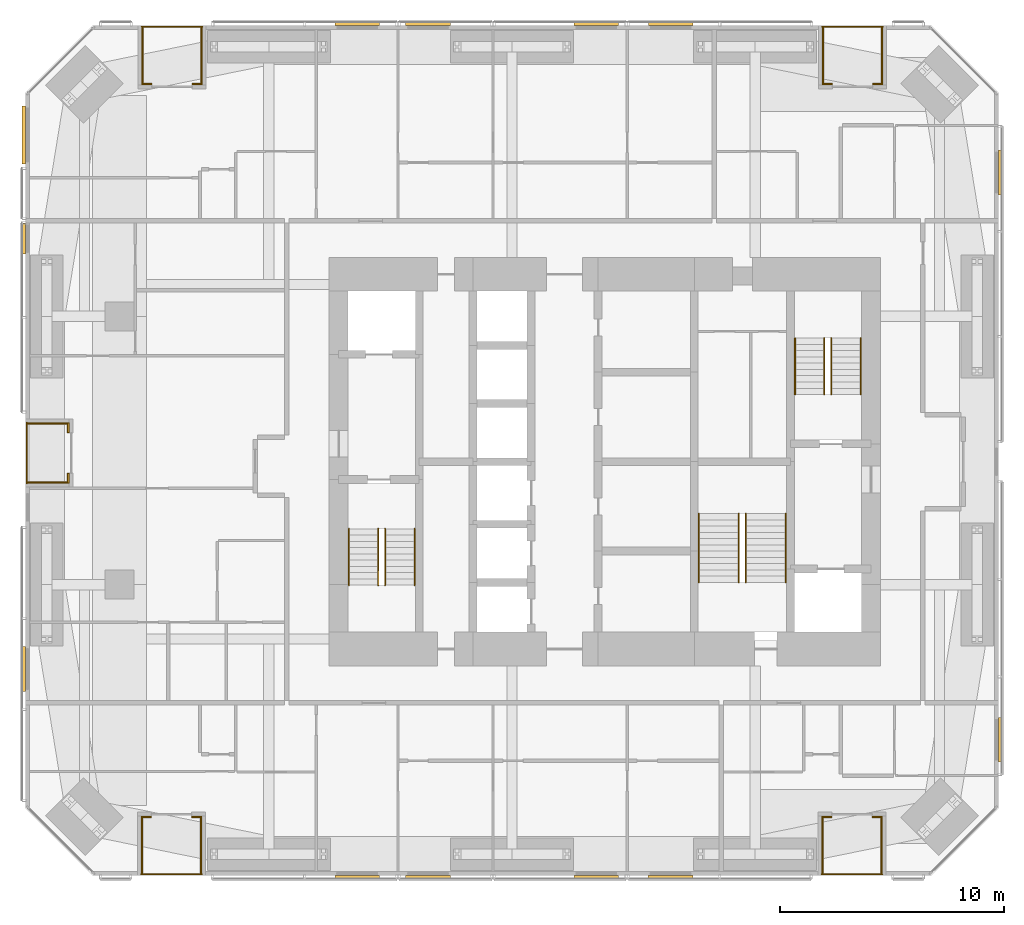
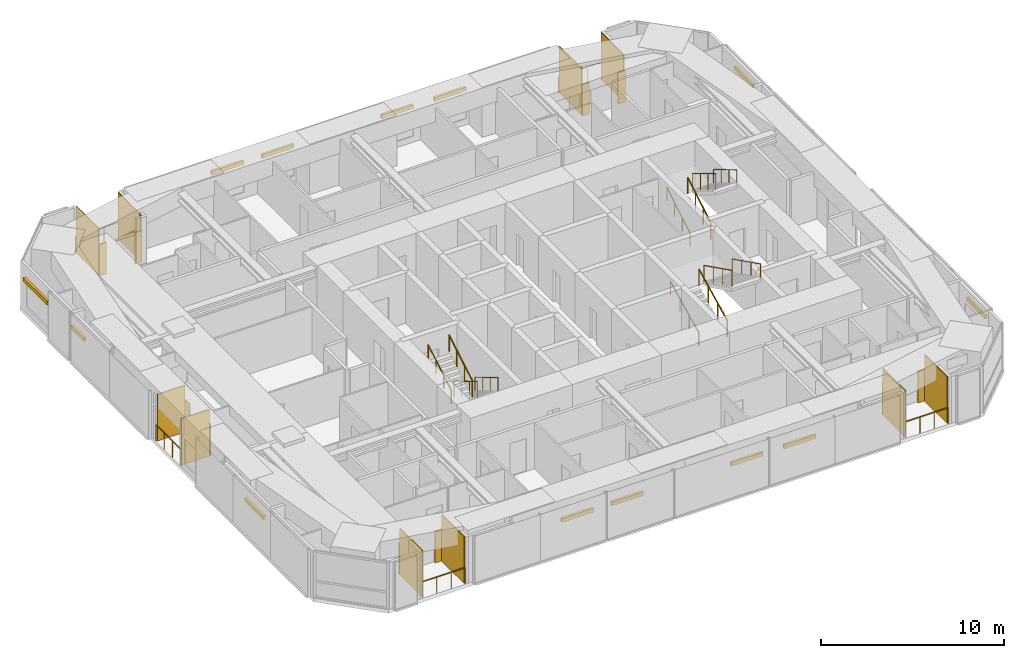
# One storey, part 23 of 23: 33 shading devices, 17 railings.
"""IFC4 building model written with IfcOpenShell, lengths in metres."""

import ifcopenshell
import ifcopenshell.guid

model = None  # the IFC model being written
_history = None  # IfcOwnerHistory: only IFC2X3 demands one
_inside = {}  # id of a spatial element -> (the spatial element, [elements in it])
_under = {}  # id of a project, library or spatial element -> (it, [spatial elements below it])
_declared = {}  # id of a project -> (the project, [libraries it declares])
_typed = {}  # id of a type object -> (the type object, [elements of that type])
_made_of = {}  # id of a material, layer set ... -> (it, [elements and type objects made of it])


def new_model(schema):
    """Start an empty IFC model of exactly this schema.

    Asked for "IFC4X3", IfcOpenShell would pick the latest addendum, in which some entities
    have other attributes; the version numbers below select the first issue.
    IFC2X3 requires an IfcOwnerHistory on every rooted entity: one is made here for all.
    """
    global model, _history
    if schema == "IFC4X3":
        model = ifcopenshell.file(schema_version=(4, 3, 0, 0))
    else:
        model = ifcopenshell.file(schema=schema)
    _inside.clear()
    _under.clear()
    _declared.clear()
    _typed.clear()
    _made_of.clear()
    _history = None
    if model.schema == "IFC2X3":
        org = make("IfcOrganization", Name="unknown")
        user = make(
            "IfcPersonAndOrganization",
            ThePerson=make("IfcPerson", FamilyName="unknown"),
            TheOrganization=org,
        )
        app = make(
            "IfcApplication",
            ApplicationDeveloper=org,
            Version="unknown",
            ApplicationFullName="unknown",
            ApplicationIdentifier="unknown",
        )
        _history = make(
            "IfcOwnerHistory",
            OwningUser=user,
            OwningApplication=app,
            ChangeAction="ADDED",
            CreationDate=0,
        )
    return model


def make(cls, **values):
    """One entity of the class cls with the attributes given. An attribute that is None is left unset."""
    return model.create_entity(
        cls, **{name: value for name, value in values.items() if value is not None}
    )


def rooted(cls, **values):
    """An entity with a GlobalId (a new one), such as an element, a storey or a relation."""
    return make(cls, GlobalId=ifcopenshell.guid.new(), OwnerHistory=_history, **values)


def si_unit(unit_type, name, prefix=None):
    """IfcSIUnit, for example si_unit("LENGTHUNIT", "METRE", prefix="MILLI")."""
    return make("IfcSIUnit", UnitType=unit_type, Prefix=prefix, Name=name)


def assignment(units):
    """IfcUnitAssignment: the units of a project."""
    return None if units is None else make("IfcUnitAssignment", Units=units)


def point(xyz):
    """IfcCartesianPoint."""
    return None if xyz is None else make("IfcCartesianPoint", Coordinates=xyz)


def direction(xyz):
    """IfcDirection."""
    return None if xyz is None else make("IfcDirection", DirectionRatios=xyz)


def frame(location, z_axis=None, x_axis=None):
    """IfcAxis2Placement3D, a coordinate frame: its origin and axes. An axis left out is left unset."""
    return make(
        "IfcAxis2Placement3D",
        Location=point(location),
        Axis=direction(z_axis),
        RefDirection=direction(x_axis),
    )


def frame_2d(location, x_axis=None):
    """IfcAxis2Placement2D, a coordinate frame in the plane: its origin and x axis."""
    return make(
        "IfcAxis2Placement2D", Location=point(location), RefDirection=direction(x_axis)
    )


def origin():
    """The frame at (0, 0, 0) with its axes left unset."""
    return frame((0.0, 0.0, 0.0))


def origin_2d():
    """The frame at (0, 0) in the plane with its x axis left unset."""
    return frame_2d((0.0, 0.0))


def place(relative_to, where):
    """IfcLocalPlacement: puts the frame where relative to a parent placement (None: the world)."""
    return make(
        "IfcLocalPlacement", PlacementRelTo=relative_to, RelativePlacement=where
    )


def context(
    kind, dimensions, precision=None, world=None, true_north=None, identifier=None
):
    """IfcGeometricRepresentationContext, for example the 3D "Model" context."""
    return make(
        "IfcGeometricRepresentationContext",
        ContextIdentifier=identifier,
        ContextType=kind,
        CoordinateSpaceDimension=dimensions,
        Precision=precision,
        WorldCoordinateSystem=world,
        TrueNorth=true_north,
    )


def subcontext(parent, identifier, kind, view, scale=None):
    """IfcGeometricRepresentationSubContext, for example "Body" below "Model"."""
    return make(
        "IfcGeometricRepresentationSubContext",
        ContextIdentifier=identifier,
        ContextType=kind,
        ParentContext=parent,
        TargetScale=scale,
        TargetView=view,
    )


def project(units=None, contexts=None):
    """IfcProject with its units and contexts."""
    return rooted(
        "IfcProject",
        Name="project",
        RepresentationContexts=contexts,
        UnitsInContext=assignment(units),
    )


def spatial(cls, under=None, at=None, **own):
    """A site, building, storey or space (cls), placed at a placement, below another one or the project."""
    s = rooted(cls, ObjectPlacement=at, **own)
    if under is not None:
        _under.setdefault(under.id(), (under, []))[1].append(s)
    return s


def profile(cls, at=None, kind="AREA", **sizes):
    """A parametric profile (cls). Its sizes go by their IFC names, for example OverallWidth=200.0."""
    return make(cls, ProfileType=kind, Position=at, **sizes)


def rectangle(**sizes):
    """IfcRectangleProfileDef."""
    return profile("IfcRectangleProfileDef", **sizes)


def circle(**sizes):
    """IfcCircleProfileDef."""
    return profile("IfcCircleProfileDef", **sizes)


def extrude(swept, where, along, depth):
    """IfcExtrudedAreaSolid: the profile swept, set in the frame where, extruded along a direction by depth."""
    return make(
        "IfcExtrudedAreaSolid",
        SweptArea=swept,
        Position=where,
        ExtrudedDirection=direction(along),
        Depth=depth,
    )


def shape(context_of_items, identifier, shape_type, items):
    """IfcShapeRepresentation: the items that make up one representation, for example the "Body"."""
    return make(
        "IfcShapeRepresentation",
        ContextOfItems=context_of_items,
        RepresentationIdentifier=identifier,
        RepresentationType=shape_type,
        Items=items,
    )


def material(Name=None, Category=None):
    """IfcMaterial."""
    return make("IfcMaterial", Name=Name, Category=Category)


def layer(
    of_material, thickness, ventilated=None, Name=None, Category=None, Priority=None
):
    """IfcMaterialLayer: one layer of a wall or slab, of a material (None: an air gap)."""
    return make(
        "IfcMaterialLayer",
        Material=of_material,
        LayerThickness=thickness,
        IsVentilated=ventilated,
        Name=Name,
        Category=Category,
        Priority=Priority,
    )


def layer_set(layers, Name=None):
    """IfcMaterialLayerSet."""
    return make("IfcMaterialLayerSet", MaterialLayers=layers, LayerSetName=Name)


def constituent(of_material, Name=None, Category=None, fraction=None):
    """IfcMaterialConstituent: one of the materials an element consists of."""
    return make(
        "IfcMaterialConstituent",
        Name=Name,
        Material=of_material,
        Fraction=fraction,
        Category=Category,
    )


def constituent_set(constituents=None, Name=None):
    """IfcMaterialConstituentSet."""
    return make(
        "IfcMaterialConstituentSet", Name=Name, MaterialConstituents=constituents
    )


def made_of(thing, what):
    """Note that an element or type object is made of a material, layer set ...; save() writes the relation."""
    if what is not None:
        _made_of.setdefault(what.id(), (what, []))[1].append(thing)
    return thing


def type_object(cls, material=None, **own):
    """A type object (cls), such as IfcWallType, which elements share."""
    return made_of(rooted(cls, **own), material)


def element(
    cls,
    number,
    at=None,
    inside=None,
    cuts=None,
    type_object=None,
    material=None,
    context=None,
    identifier="Body",
    shape_type=None,
    held_by="IfcProductDefinitionShape",
    body=None,
    shapes=None,
    **own,
):
    """One element of the class cls, such as IfcWall. Its Tag is "e" and its number.

    at: its placement. inside: the storey or other place that contains it. cuts: it is an
    opening in that element (IfcRelVoidsElement). A single representation is given by context,
    identifier, shape_type and body (its items); several are given by shapes. held_by: the class
    of the entity that holds the representations. save() writes the other relations.
    """
    e = rooted(cls, Tag="e%d" % number, ObjectPlacement=at, **own)
    if body is not None:
        shapes = [shape(context, identifier, shape_type, body)]
    if shapes is not None:
        e.Representation = make(held_by, Representations=shapes)
    if inside is not None:
        _inside.setdefault(inside.id(), (inside, []))[1].append(e)
    if cuts is not None:
        rooted(
            "IfcRelVoidsElement", RelatingBuildingElement=cuts, RelatedOpeningElement=e
        )
    if type_object is not None:
        _typed.setdefault(type_object.id(), (type_object, []))[1].append(e)
    return made_of(e, material)


def aggregate(whole, parts):
    """IfcRelAggregates: a whole, such as a stair, and the parts it consists of."""
    return rooted("IfcRelAggregates", RelatingObject=whole, RelatedObjects=parts)


def save(model, path):
    """Write the relations noted so far, then the file.

    IfcRelAggregates (storeys below a building ...), IfcRelContainedInSpatialStructure (elements
    in a storey), IfcRelDefinesByType, IfcRelAssociatesMaterial and IfcRelDeclares: one each for
    every whole, place, type object, material and project.
    """
    for whole, parts in _under.values():
        aggregate(whole, parts)
    for where, things in _inside.values():
        rooted(
            "IfcRelContainedInSpatialStructure",
            RelatedElements=things,
            RelatingStructure=where,
        )
    for kind, things in _typed.values():
        rooted("IfcRelDefinesByType", RelatedObjects=things, RelatingType=kind)
    for what, things in _made_of.values():
        rooted("IfcRelAssociatesMaterial", RelatedObjects=things, RelatingMaterial=what)
    for by, libraries in _declared.values():
        rooted("IfcRelDeclares", RelatingContext=by, RelatedDefinitions=libraries)
    model.write(path)


model = new_model("IFC4")

# Units and contexts
model_context = context("Model", 3, precision=1e-05, world=origin(), true_north=direction((0.0, 1.0)))
body_context = subcontext(model_context, "Body", "Model", "MODEL_VIEW")
ifc_project = project(units=[si_unit("LENGTHUNIT", "METRE"), si_unit("AREAUNIT", "SQUARE_METRE"), si_unit("VOLUMEUNIT", "CUBIC_METRE"), si_unit("PLANEANGLEUNIT", "RADIAN"), si_unit("MASSUNIT", "GRAM", prefix="KILO")], contexts=[model_context])

# Site, building, storey
site_placement = place(None, origin())
site = spatial("IfcSite", under=ifc_project, at=site_placement, CompositionType="ELEMENT")
building_placement = place(site_placement, origin())
building = spatial("IfcBuilding", under=site, at=building_placement, Name="Jalousie Tower", CompositionType="ELEMENT")
storey_placement = place(building_placement, frame((0.0, 0.0, 118.25)))
storey = spatial("IfcBuildingStorey", under=building, at=storey_placement, Name="L32", CompositionType="ELEMENT", Elevation=118.25)

# Shading devices
ifc_material_1 = material(Name="Aluminium impact-rated louvred storm shutter", Category="aluminium")
shading_device_type_1 = type_object("IfcShadingDeviceType", Name="BI-FOLD STORM SHUTTER 900x2100", PredefinedType="SHUTTER", material=ifc_material_1)
for number, where, z_axis, x_axis, name in (
    (1, (11.4013671875, 2.610107421875, 0.0), (0.0, 0.0, 1.0), (1.0, 0.0, 0.0), "Loggia storm shutter L32"),
    (2, (13.6513671875, 2.610107421875, 0.0), (0.0, 0.0, 1.0), (1.0, 0.0, 0.0), "Loggia storm shutter L32"),
    (3, (41.824951171875, 2.610107421875, 0.0), (0.0, 0.0, 1.0), (1.0, 0.0, 0.0), "Loggia storm shutter L32"),
    (4, (44.074951171875, 2.610107421875, 0.0), (0.0, 0.0, 1.0), (1.0, 0.0, 0.0), "Loggia storm shutter L32"),
    (5, (44.0986328125, 35.389892578125, 0.0), (0.0, 0.0, 1.0), (-1.0, 0.0, 0.0), "Loggia storm shutter L32"),
    (6, (41.8486328125, 35.389892578125, 0.0), (0.0, 0.0, 1.0), (-1.0, 0.0, 0.0), "Loggia storm shutter L32"),
    (7, (13.675048828125, 35.389892578125, 0.0), (0.0, 0.0, 1.0), (-1.0, 0.0, 0.0), "Loggia storm shutter L32"),
    (8, (11.425048828125, 35.389892578125, 0.0), (0.0, 0.0, 1.0), (-1.0, 0.0, 0.0), "Loggia storm shutter L32"),
    (9, (7.909912109375, 20.012451171875, 0.0), (0.0, 0.0, 1.0), (0.0, -1.0, 0.0), "Loggia storm shutter L32"),
    (10, (7.909912109375, 17.762451171875, 0.0), (0.0, 0.0, 1.0), (0.0, -1.0, 0.0), "Loggia storm shutter L32"),
):
    element("IfcShadingDevice", number, at=place(storey_placement, frame(where, z_axis=z_axis, x_axis=x_axis)), inside=storey, type_object=shading_device_type_1, Name=name, PredefinedType="SHUTTER", context=body_context, shape_type="SweptSolid", body=[
        extrude(rectangle(XDim=0.449951171875, YDim=0.080078125, at=origin_2d()), origin(), (0.0, 0.0, 1.0), 2.10009765625),
    ])

# Railings
ifc_material_2 = material(Name="Powder-coated aluminium fretwork", Category="aluminium")
railing_type_1 = type_object("IfcRailingType", Name="FRETWORK BALUSTRADE 1100", PredefinedType="BALUSTRADE", material=ifc_material_2)
for number, where, name in (
    (11, (11.17626953125, 0.050048828125, 0.0), "Loggia fretwork balustrade L32"),
    (12, (41.60009765625, 0.050048828125, 0.0), "Loggia fretwork balustrade L32"),
):
    element("IfcRailing", number, at=place(storey_placement, frame(where)), inside=storey, type_object=railing_type_1, Name=name, PredefinedType="BALUSTRADE", context=body_context, shape_type="SweptSolid", body=[
        extrude(rectangle(XDim=0.048095703125, YDim=0.048095703125, at=origin_2d()), frame((0.0, 0.0, 1.076171875), z_axis=(1.0, 0.0, 0.0), x_axis=(0.0, 1.0, 0.0)), (0.0, 0.0, 1.0), 2.699951171875),
        extrude(circle(Radius=0.02099609375, at=origin_2d()), origin(), (0.0, 0.0, 1.0), 1.052001953125),
        extrude(circle(Radius=0.02099609375, at=origin_2d()), frame((0.89990234375, 0.0, 0.0)), (0.0, 0.0, 1.0), 1.052001953125),
        extrude(circle(Radius=0.02099609375, at=origin_2d()), frame((1.800048828125, 0.0, 0.0)), (0.0, 0.0, 1.0), 1.052001953125),
        extrude(circle(Radius=0.02099609375, at=origin_2d()), frame((2.699951171875, 0.0, 0.0)), (0.0, 0.0, 1.0), 1.052001953125),
    ])
for number, where, name in (
    (13, (44.32373046875, 37.949951171875, 0.0), "Loggia fretwork balustrade L32"),
    (14, (13.89990234375, 37.949951171875, 0.0), "Loggia fretwork balustrade L32"),
):
    element("IfcRailing", number, at=place(storey_placement, frame(where)), inside=storey, type_object=railing_type_1, Name=name, PredefinedType="BALUSTRADE", context=body_context, shape_type="SweptSolid", body=[
        extrude(rectangle(XDim=0.048095703125, YDim=0.048095703125, at=origin_2d()), frame((0.0, 0.0, 1.076171875), z_axis=(-1.0, 0.0, 0.0), x_axis=(0.0, -1.0, 0.0)), (0.0, 0.0, 1.0), 2.699951171875),
        extrude(circle(Radius=0.02099609375, at=origin_2d()), origin(), (0.0, 0.0, 1.0), 1.052001953125),
        extrude(circle(Radius=0.02099609375, at=origin_2d()), frame((-0.89990234375, 0.0, 0.0)), (0.0, 0.0, 1.0), 1.052001953125),
        extrude(circle(Radius=0.02099609375, at=origin_2d()), frame((-1.800048828125, 0.0, 0.0)), (0.0, 0.0, 1.0), 1.052001953125),
        extrude(circle(Radius=0.02099609375, at=origin_2d()), frame((-2.699951171875, 0.0, 0.0)), (0.0, 0.0, 1.0), 1.052001953125),
    ])
railing_1_placement = place(storey_placement, frame((6.050048828125, 20.24169921875, 0.0)))
element("IfcRailing", 15, at=railing_1_placement, inside=storey, type_object=railing_type_1, Name="Loggia fretwork balustrade L32", PredefinedType="BALUSTRADE", context=body_context, shape_type="SweptSolid", body=[
    extrude(rectangle(XDim=0.048095703125, YDim=0.048095703125, at=origin_2d()), frame((0.0, 0.0, 1.076171875), z_axis=(0.0, -1.0, 0.0), x_axis=(1.0, 0.0, 0.0)), (0.0, 0.0, 1.0), 2.70849609375),
    extrude(circle(Radius=0.02099609375, at=origin_2d()), origin(), (0.0, 0.0, 1.0), 1.052001953125),
    extrude(circle(Radius=0.02099609375, at=origin_2d()), frame((0.0, -0.90283203125, 0.0)), (0.0, 0.0, 1.0), 1.052001953125),
    extrude(circle(Radius=0.02099609375, at=origin_2d()), frame((0.0, -1.8056640625, 0.0)), (0.0, 0.0, 1.0), 1.052001953125),
    extrude(circle(Radius=0.02099609375, at=origin_2d()), frame((0.0, -2.70849609375, 0.0)), (0.0, 0.0, 1.0), 1.052001953125),
])

# Shading devices
ifc_material_3 = material(Name="Powder-coated aluminium louvres", Category="aluminium")
ifc_layer = layer(ifc_material_3, 0.06005859375)
ifc_layer_set = layer_set([ifc_layer], Name="Powder-coated aluminium louvres")
shading_device_type_2 = type_object("IfcShadingDeviceType", Name="JALOUSIE LOUVRE SCREEN", PredefinedType="JALOUSIE", material=ifc_layer_set)
for number, where, z_axis, x_axis, name in (
    (16, (11.206298828125, 1.324951171875, 0.0), (0.0, 0.0, 1.0), (1.0, 0.0, 0.0), "Loggia jalousie louvre screen L32"),
    (17, (13.84619140625, 1.324951171875, 0.0), (0.0, 0.0, 1.0), (1.0, 0.0, 0.0), "Loggia jalousie louvre screen L32"),
    (18, (41.6298828125, 1.324951171875, 0.0), (0.0, 0.0, 1.0), (1.0, 0.0, 0.0), "Loggia jalousie louvre screen L32"),
    (19, (44.27001953125, 1.324951171875, 0.0), (0.0, 0.0, 1.0), (1.0, 0.0, 0.0), "Loggia jalousie louvre screen L32"),
    (20, (44.293701171875, 36.675048828125, 0.0), (0.0, 0.0, 1.0), (-1.0, 0.0, 0.0), "Loggia jalousie louvre screen L32"),
    (21, (41.65380859375, 36.675048828125, 0.0), (0.0, 0.0, 1.0), (-1.0, 0.0, 0.0), "Loggia jalousie louvre screen L32"),
    (22, (13.8701171875, 36.675048828125, 0.0), (0.0, 0.0, 1.0), (-1.0, 0.0, 0.0), "Loggia jalousie louvre screen L32"),
    (23, (11.22998046875, 36.675048828125, 0.0), (0.0, 0.0, 1.0), (-1.0, 0.0, 0.0), "Loggia jalousie louvre screen L32"),
):
    element("IfcShadingDevice", number, at=place(storey_placement, frame(where, z_axis=z_axis, x_axis=x_axis)), inside=storey, type_object=shading_device_type_2, Name=name, PredefinedType="JALOUSIE", context=body_context, shape_type="SweptSolid", body=[
        extrude(rectangle(XDim=0.06005859375, YDim=2.449951171875, at=origin_2d()), origin(), (0.0, 0.0, 1.0), 3.110107421875),
    ])
for number, where, z_axis, x_axis, name in (
    (24, (6.97509765625, 20.211669921875, 0.0), (0.0, 0.0, 1.0), (0.0, -1.0, 0.0), "Loggia jalousie louvre screen L32"),
    (25, (6.97509765625, 17.563232421875, 0.0), (0.0, 0.0, 1.0), (0.0, -1.0, 0.0), "Loggia jalousie louvre screen L32"),
):
    element("IfcShadingDevice", number, at=place(storey_placement, frame(where, z_axis=z_axis, x_axis=x_axis)), inside=storey, type_object=shading_device_type_2, Name=name, PredefinedType="JALOUSIE", context=body_context, shape_type="SweptSolid", body=[
        extrude(rectangle(XDim=0.06005859375, YDim=1.75, at=origin_2d()), origin(), (0.0, 0.0, 1.0), 3.110107421875),
    ])

# Railings
ifc_material_4 = material(Name="Steel ASTM A500 Grade C", Category="steel")
ifc_constituent_1 = constituent(ifc_material_4, Name="Body")
ifc_material_5 = material(Name="Hot-dip galvanised zinc coating")
ifc_constituent_2 = constituent(ifc_material_5, Name="Finish")
ifc_constituent_set_1 = constituent_set(constituents=[ifc_constituent_1, ifc_constituent_2])
railing_type_2 = type_object("IfcRailingType", Name="STAIR GUARD 1100", PredefinedType="GUARDRAIL", material=ifc_constituent_set_1)
railing_2_placement = place(storey_placement, frame((22.080078125, 15.49755859375, 0.16748046875)))
element("IfcRailing", 26, at=railing_2_placement, inside=storey, type_object=railing_type_2, Name="Exit stair A guard L32 flight 1", PredefinedType="GUARDRAIL", context=body_context, shape_type="SweptSolid", body=[
    extrude(rectangle(XDim=0.048095703125, YDim=0.048095703125, at=origin_2d()), frame((0.0, 0.0, 1.076171875), z_axis=(0.0, -0.858159760407, 0.513382728203), x_axis=(1.0, 0.0, 0.0)), (0.0, 0.0, 1.0), 2.9365234375),
    extrude(circle(Radius=0.02099609375, at=origin_2d()), origin(), (0.0, 0.0, 1.0), 1.052001953125),
    extrude(circle(Radius=0.02099609375, at=origin_2d()), frame((0.0, -0.840087890625, 0.50244140625)), (0.0, 0.0, 1.0), 1.052001953125),
    extrude(circle(Radius=0.02099609375, at=origin_2d()), frame((0.0, -1.679931640625, 1.005126953125)), (0.0, 0.0, 1.0), 1.052001953125),
    extrude(circle(Radius=0.02099609375, at=origin_2d()), frame((0.0, -2.52001953125, 1.507568359375)), (0.0, 0.0, 1.0), 1.052001953125),
])
for number, where, name in (
    (27, (21.77001953125, 12.9775390625, 1.842529296875), "Exit stair A guard L32 flight 2"),
    (28, (41.719970703125, 21.50244140625, 0.16748046875), "Exit stair B guard L32 flight 1"),
):
    element("IfcRailing", number, at=place(storey_placement, frame(where)), inside=storey, type_object=railing_type_2, Name=name, PredefinedType="GUARDRAIL", context=body_context, shape_type="SweptSolid", body=[
        extrude(rectangle(XDim=0.048095703125, YDim=0.048095703125, at=origin_2d()), frame((0.0, 0.0, 1.076171875), z_axis=(0.0, 0.858159760407, 0.513382728203), x_axis=(-1.0, 0.0, 0.0)), (0.0, 0.0, 1.0), 2.9365234375),
        extrude(circle(Radius=0.02099609375, at=origin_2d()), origin(), (0.0, 0.0, 1.0), 1.052001953125),
        extrude(circle(Radius=0.02099609375, at=origin_2d()), frame((0.0, 0.840087890625, 0.50244140625)), (0.0, 0.0, 1.0), 1.052001953125),
        extrude(circle(Radius=0.02099609375, at=origin_2d()), frame((0.0, 1.679931640625, 1.005126953125)), (0.0, 0.0, 1.0), 1.052001953125),
        extrude(circle(Radius=0.02099609375, at=origin_2d()), frame((0.0, 2.52001953125, 1.507568359375)), (0.0, 0.0, 1.0), 1.052001953125),
    ])
railing_3_placement = place(storey_placement, frame((42.030029296875, 24.0224609375, 1.842529296875)))
element("IfcRailing", 29, at=railing_3_placement, inside=storey, type_object=railing_type_2, Name="Exit stair B guard L32 flight 2", PredefinedType="GUARDRAIL", context=body_context, shape_type="SweptSolid", body=[
    extrude(rectangle(XDim=0.048095703125, YDim=0.048095703125, at=origin_2d()), frame((0.0, 0.0, 1.076171875), z_axis=(0.0, -0.858159760407, 0.513382728203), x_axis=(1.0, 0.0, 0.0)), (0.0, 0.0, 1.0), 2.9365234375),
    extrude(circle(Radius=0.02099609375, at=origin_2d()), origin(), (0.0, 0.0, 1.0), 1.052001953125),
    extrude(circle(Radius=0.02099609375, at=origin_2d()), frame((0.0, -0.840087890625, 0.50244140625)), (0.0, 0.0, 1.0), 1.052001953125),
    extrude(circle(Radius=0.02099609375, at=origin_2d()), frame((0.0, -1.679931640625, 1.005126953125)), (0.0, 0.0, 1.0), 1.052001953125),
    extrude(circle(Radius=0.02099609375, at=origin_2d()), frame((0.0, -2.52001953125, 1.507568359375)), (0.0, 0.0, 1.0), 1.052001953125),
])
railing_4_placement = place(storey_placement, frame((37.89501953125, 13.097412109375, 0.1396484375)))
element("IfcRailing", 30, at=railing_4_placement, inside=storey, type_object=railing_type_2, Name="Exit stair C guard L32 flight 1", PredefinedType="GUARDRAIL", context=body_context, shape_type="SweptSolid", body=[
    extrude(rectangle(XDim=0.048095703125, YDim=0.048095703125, at=origin_2d()), frame((0.0, 0.0, 1.076171875), z_axis=(0.0, 0.894965676997, 0.446134998624), x_axis=(-1.0, 0.0, 0.0)), (0.0, 0.0, 1.0), 3.441650390625),
    extrude(circle(Radius=0.02099609375, at=origin_2d()), origin(), (0.0, 0.0, 1.0), 1.052001953125),
    extrude(circle(Radius=0.02099609375, at=origin_2d()), frame((0.0, 1.026611328125, 0.51171875)), (0.0, 0.0, 1.0), 1.052001953125),
    extrude(circle(Radius=0.02099609375, at=origin_2d()), frame((0.0, 2.053466796875, 1.023681640625)), (0.0, 0.0, 1.0), 1.052001953125),
    extrude(circle(Radius=0.02099609375, at=origin_2d()), frame((0.0, 3.080078125, 1.535400390625)), (0.0, 0.0, 1.0), 1.052001953125),
])
railing_5_placement = place(storey_placement, frame((38.205078125, 16.177490234375, 1.814697265625)))
element("IfcRailing", 31, at=railing_5_placement, inside=storey, type_object=railing_type_2, Name="Exit stair C guard L32 flight 2", PredefinedType="GUARDRAIL", context=body_context, shape_type="SweptSolid", body=[
    extrude(rectangle(XDim=0.048095703125, YDim=0.048095703125, at=origin_2d()), frame((0.0, 0.0, 1.076171875), z_axis=(0.0, -0.894965676997, 0.446134998624), x_axis=(1.0, 0.0, 0.0)), (0.0, 0.0, 1.0), 3.441650390625),
    extrude(circle(Radius=0.02099609375, at=origin_2d()), origin(), (0.0, 0.0, 1.0), 1.052001953125),
    extrude(circle(Radius=0.02099609375, at=origin_2d()), frame((0.0, -1.026611328125, 0.51171875)), (0.0, 0.0, 1.0), 1.052001953125),
    extrude(circle(Radius=0.02099609375, at=origin_2d()), frame((0.0, -2.053466796875, 1.023681640625)), (0.0, 0.0, 1.0), 1.052001953125),
    extrude(circle(Radius=0.02099609375, at=origin_2d()), frame((0.0, -3.080078125, 1.535400390625)), (0.0, 0.0, 1.0), 1.052001953125),
])
ifc_material_6 = material(Name="Steel ASTM A500 Grade C", Category="steel")
ifc_constituent_3 = constituent(ifc_material_6, Name="Body")
ifc_material_7 = material(Name="Hot-dip galvanised zinc coating")
ifc_constituent_4 = constituent(ifc_material_7, Name="Finish")
ifc_constituent_set_2 = constituent_set(constituents=[ifc_constituent_3, ifc_constituent_4])
railing_type_3 = type_object("IfcRailingType", Name="STAIR HANDRAIL 900", PredefinedType="HANDRAIL", material=ifc_constituent_set_2)
railing_6_placement = place(storey_placement, frame((23.39501953125, 15.49755859375, 0.16748046875)))
element("IfcRailing", 32, at=railing_6_placement, inside=storey, type_object=railing_type_3, Name="Exit stair A handrail L32 flight 1", PredefinedType="HANDRAIL", context=body_context, shape_type="SweptSolid", body=[
    extrude(circle(Radius=0.02392578125, at=origin_2d()), frame((0.0, 0.0, 0.8759765625), z_axis=(0.0, -0.858159760407, 0.513382728203), x_axis=(1.0, 0.0, 0.0)), (0.0, 0.0, 1.0), 2.9365234375),
    extrude(circle(Radius=0.02099609375, at=origin_2d()), origin(), (0.0, 0.0, 1.0), 0.851806640625),
    extrude(circle(Radius=0.02099609375, at=origin_2d()), frame((0.0, -0.840087890625, 0.50244140625)), (0.0, 0.0, 1.0), 0.851806640625),
    extrude(circle(Radius=0.02099609375, at=origin_2d()), frame((0.0, -1.679931640625, 1.005126953125)), (0.0, 0.0, 1.0), 0.851806640625),
    extrude(circle(Radius=0.02099609375, at=origin_2d()), frame((0.0, -2.52001953125, 1.507568359375)), (0.0, 0.0, 1.0), 0.851806640625),
])
for number, where, name in (
    (33, (20.455078125, 12.9775390625, 1.842529296875), "Exit stair A handrail L32 flight 2"),
    (34, (40.405029296875, 21.50244140625, 0.16748046875), "Exit stair B handrail L32 flight 1"),
):
    element("IfcRailing", number, at=place(storey_placement, frame(where)), inside=storey, type_object=railing_type_3, Name=name, PredefinedType="HANDRAIL", context=body_context, shape_type="SweptSolid", body=[
        extrude(circle(Radius=0.02392578125, at=origin_2d()), frame((0.0, 0.0, 0.8759765625), z_axis=(0.0, 0.858159760407, 0.513382728203), x_axis=(-1.0, 0.0, 0.0)), (0.0, 0.0, 1.0), 2.9365234375),
        extrude(circle(Radius=0.02099609375, at=origin_2d()), origin(), (0.0, 0.0, 1.0), 0.851806640625),
        extrude(circle(Radius=0.02099609375, at=origin_2d()), frame((0.0, 0.840087890625, 0.50244140625)), (0.0, 0.0, 1.0), 0.851806640625),
        extrude(circle(Radius=0.02099609375, at=origin_2d()), frame((0.0, 1.679931640625, 1.005126953125)), (0.0, 0.0, 1.0), 0.851806640625),
        extrude(circle(Radius=0.02099609375, at=origin_2d()), frame((0.0, 2.52001953125, 1.507568359375)), (0.0, 0.0, 1.0), 0.851806640625),
    ])
railing_7_placement = place(storey_placement, frame((43.344970703125, 24.0224609375, 1.842529296875)))
element("IfcRailing", 35, at=railing_7_placement, inside=storey, type_object=railing_type_3, Name="Exit stair B handrail L32 flight 2", PredefinedType="HANDRAIL", context=body_context, shape_type="SweptSolid", body=[
    extrude(circle(Radius=0.02392578125, at=origin_2d()), frame((0.0, 0.0, 0.8759765625), z_axis=(0.0, -0.858159760407, 0.513382728203), x_axis=(1.0, 0.0, 0.0)), (0.0, 0.0, 1.0), 2.9365234375),
    extrude(circle(Radius=0.02099609375, at=origin_2d()), origin(), (0.0, 0.0, 1.0), 0.851806640625),
    extrude(circle(Radius=0.02099609375, at=origin_2d()), frame((0.0, -0.840087890625, 0.50244140625)), (0.0, 0.0, 1.0), 0.851806640625),
    extrude(circle(Radius=0.02099609375, at=origin_2d()), frame((0.0, -1.679931640625, 1.005126953125)), (0.0, 0.0, 1.0), 0.851806640625),
    extrude(circle(Radius=0.02099609375, at=origin_2d()), frame((0.0, -2.52001953125, 1.507568359375)), (0.0, 0.0, 1.0), 0.851806640625),
])
railing_8_placement = place(storey_placement, frame((36.10498046875, 13.097412109375, 0.1396484375)))
element("IfcRailing", 36, at=railing_8_placement, inside=storey, type_object=railing_type_3, Name="Exit stair C handrail L32 flight 1", PredefinedType="HANDRAIL", context=body_context, shape_type="SweptSolid", body=[
    extrude(circle(Radius=0.02392578125, at=origin_2d()), frame((0.0, 0.0, 0.8759765625), z_axis=(0.0, 0.894965676997, 0.446134998624), x_axis=(-1.0, 0.0, 0.0)), (0.0, 0.0, 1.0), 3.441650390625),
    extrude(circle(Radius=0.02099609375, at=origin_2d()), origin(), (0.0, 0.0, 1.0), 0.851806640625),
    extrude(circle(Radius=0.02099609375, at=origin_2d()), frame((0.0, 1.026611328125, 0.51171875)), (0.0, 0.0, 1.0), 0.851806640625),
    extrude(circle(Radius=0.02099609375, at=origin_2d()), frame((0.0, 2.053466796875, 1.023681640625)), (0.0, 0.0, 1.0), 0.851806640625),
    extrude(circle(Radius=0.02099609375, at=origin_2d()), frame((0.0, 3.080078125, 1.535400390625)), (0.0, 0.0, 1.0), 0.851806640625),
])
railing_9_placement = place(storey_placement, frame((39.9951171875, 16.177490234375, 1.814697265625)))
element("IfcRailing", 37, at=railing_9_placement, inside=storey, type_object=railing_type_3, Name="Exit stair C handrail L32 flight 2", PredefinedType="HANDRAIL", context=body_context, shape_type="SweptSolid", body=[
    extrude(circle(Radius=0.02392578125, at=origin_2d()), frame((0.0, 0.0, 0.8759765625), z_axis=(0.0, -0.894965676997, 0.446134998624), x_axis=(1.0, 0.0, 0.0)), (0.0, 0.0, 1.0), 3.441650390625),
    extrude(circle(Radius=0.02099609375, at=origin_2d()), origin(), (0.0, 0.0, 1.0), 0.851806640625),
    extrude(circle(Radius=0.02099609375, at=origin_2d()), frame((0.0, -1.026611328125, 0.51171875)), (0.0, 0.0, 1.0), 0.851806640625),
    extrude(circle(Radius=0.02099609375, at=origin_2d()), frame((0.0, -2.053466796875, 1.023681640625)), (0.0, 0.0, 1.0), 0.851806640625),
    extrude(circle(Radius=0.02099609375, at=origin_2d()), frame((0.0, -3.080078125, 1.535400390625)), (0.0, 0.0, 1.0), 0.851806640625),
])

# Shading devices
ifc_material_8 = material(Name="Aluminium roller storm shutter", Category="aluminium")
shading_device_type_3 = type_object("IfcShadingDeviceType", Name="STORM SHUTTER HOUSING", PredefinedType="SHUTTER", material=ifc_material_8)
for number, where, z_axis, x_axis, name in (
    (38, (20.824951171875, -0.074951171875, 2.10009765625), (0.0, 0.0, 1.0), (1.0, 0.0, 0.0), "Storm shutter L32"),
    (39, (23.9912109375, -0.074951171875, 2.10009765625), (0.0, 0.0, 1.0), (1.0, 0.0, 0.0), "Storm shutter L32"),
    (40, (31.514892578125, -0.074951171875, 2.10009765625), (0.0, 0.0, 1.0), (1.0, 0.0, 0.0), "Storm shutter L32"),
    (41, (34.840087890625, -0.074951171875, 2.10009765625), (0.0, 0.0, 1.0), (1.0, 0.0, 0.0), "Storm shutter L32"),
    (42, (49.574951171875, 6.0693359375, 2.10009765625), (0.0, 0.0, 1.0), (0.0, 1.0, 0.0), "Storm shutter L32"),
    (43, (49.574951171875, 31.4306640625, 2.10009765625), (0.0, 0.0, 1.0), (0.0, 1.0, 0.0), "Storm shutter L32"),
    (44, (34.85009765625, 38.074951171875, 2.10009765625), (0.0, 0.0, 1.0), (-1.0, 0.0, 0.0), "Storm shutter L32"),
    (45, (31.514892578125, 38.074951171875, 2.10009765625), (0.0, 0.0, 1.0), (-1.0, 0.0, 0.0), "Storm shutter L32"),
    (46, (23.9912109375, 38.074951171875, 2.10009765625), (0.0, 0.0, 1.0), (-1.0, 0.0, 0.0), "Storm shutter L32"),
    (47, (20.824951171875, 38.074951171875, 2.10009765625), (0.0, 0.0, 1.0), (-1.0, 0.0, 0.0), "Storm shutter L32"),
):
    element("IfcShadingDevice", number, at=place(storey_placement, frame(where, z_axis=z_axis, x_axis=x_axis)), inside=storey, type_object=shading_device_type_3, Name=name, PredefinedType="SHUTTER", context=body_context, shape_type="SweptSolid", body=[
        extrude(rectangle(XDim=2.0, YDim=0.14990234375, at=origin_2d()), origin(), (0.0, 0.0, 1.0), 0.25),
    ])
shading_device_1_placement = place(storey_placement, frame((5.925048828125, 33.1123046875, 2.10009765625), z_axis=(0.0, 0.0, 1.0), x_axis=(0.0, -1.0, 0.0)))
element("IfcShadingDevice", 48, at=shading_device_1_placement, inside=storey, type_object=shading_device_type_3, Name="Storm shutter L32", PredefinedType="SHUTTER", context=body_context, shape_type="SweptSolid", body=[
    extrude(rectangle(XDim=2.60009765625, YDim=0.14990234375, at=origin_2d()), origin(), (0.0, 0.0, 1.0), 0.25),
])
shading_device_2_placement = place(storey_placement, frame((5.925048828125, 28.47509765625, 2.10009765625), z_axis=(0.0, 0.0, 1.0), x_axis=(0.0, -1.0, 0.0)))
element("IfcShadingDevice", 49, at=shading_device_2_placement, inside=storey, type_object=shading_device_type_3, Name="Storm shutter L32", PredefinedType="SHUTTER", context=body_context, shape_type="SweptSolid", body=[
    extrude(rectangle(XDim=1.39990234375, YDim=0.14990234375, at=origin_2d()), origin(), (0.0, 0.0, 1.0), 0.25),
])
shading_device_3_placement = place(storey_placement, frame((5.925048828125, 9.22509765625, 2.10009765625), z_axis=(0.0, 0.0, 1.0), x_axis=(0.0, -1.0, 0.0)))
element("IfcShadingDevice", 50, at=shading_device_3_placement, inside=storey, type_object=shading_device_type_3, Name="Storm shutter L32", PredefinedType="SHUTTER", context=body_context, shape_type="SweptSolid", body=[
    extrude(rectangle(XDim=2.0, YDim=0.14990234375, at=origin_2d()), origin(), (0.0, 0.0, 1.0), 0.25),
])

save(model, "model.ifc")
